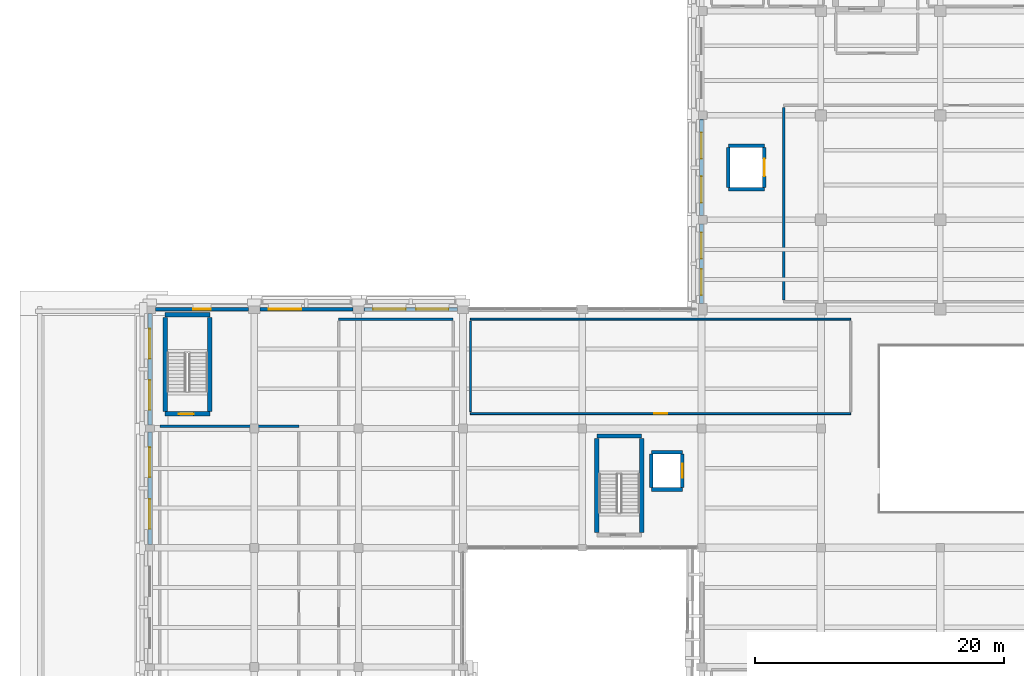
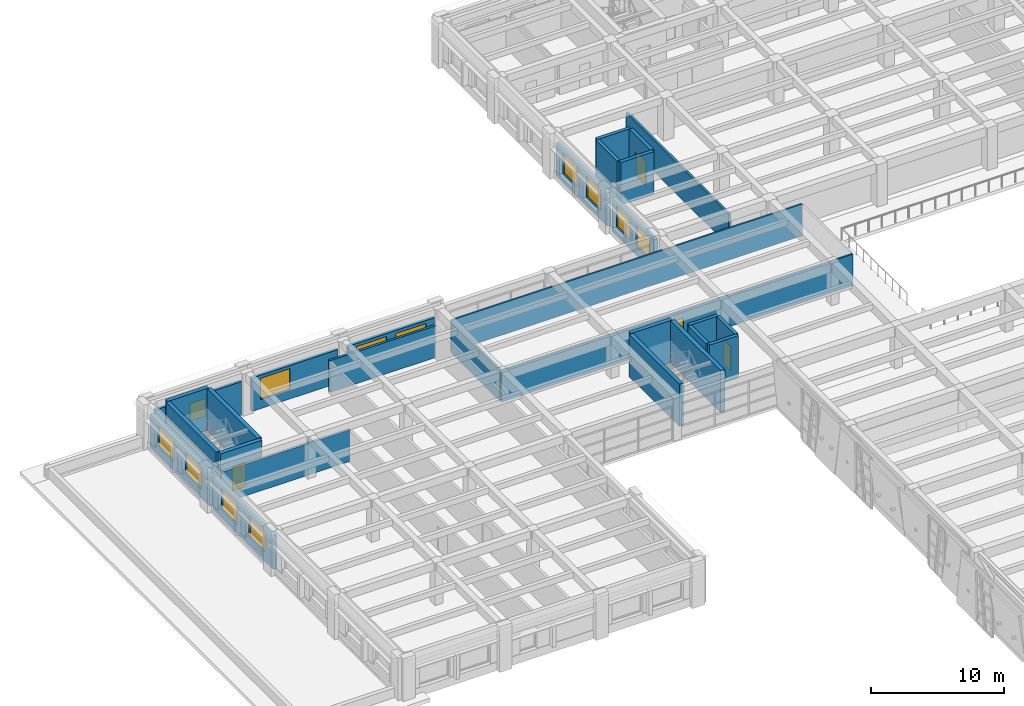
# One storey, part 45 of 62: 28 walls, 12 windows, 4 doors, 16 openings.
"""IFC4 building model written with IfcOpenShell, lengths in metres."""

import ifcopenshell
import ifcopenshell.guid

model = None  # the IFC model being written
_history = None  # IfcOwnerHistory: only IFC2X3 demands one
_inside = {}  # id of a spatial element -> (the spatial element, [elements in it])
_under = {}  # id of a project, library or spatial element -> (it, [spatial elements below it])
_declared = {}  # id of a project -> (the project, [libraries it declares])
_typed = {}  # id of a type object -> (the type object, [elements of that type])
_made_of = {}  # id of a material, layer set ... -> (it, [elements and type objects made of it])


def new_model(schema):
    """Start an empty IFC model of exactly this schema.

    Asked for "IFC4X3", IfcOpenShell would pick the latest addendum, in which some entities
    have other attributes; the version numbers below select the first issue.
    IFC2X3 requires an IfcOwnerHistory on every rooted entity: one is made here for all.
    """
    global model, _history
    if schema == "IFC4X3":
        model = ifcopenshell.file(schema_version=(4, 3, 0, 0))
    else:
        model = ifcopenshell.file(schema=schema)
    _inside.clear()
    _under.clear()
    _declared.clear()
    _typed.clear()
    _made_of.clear()
    _history = None
    if model.schema == "IFC2X3":
        org = make("IfcOrganization", Name="unknown")
        user = make(
            "IfcPersonAndOrganization",
            ThePerson=make("IfcPerson", FamilyName="unknown"),
            TheOrganization=org,
        )
        app = make(
            "IfcApplication",
            ApplicationDeveloper=org,
            Version="unknown",
            ApplicationFullName="unknown",
            ApplicationIdentifier="unknown",
        )
        _history = make(
            "IfcOwnerHistory",
            OwningUser=user,
            OwningApplication=app,
            ChangeAction="ADDED",
            CreationDate=0,
        )
    return model


def make(cls, **values):
    """One entity of the class cls with the attributes given. An attribute that is None is left unset."""
    return model.create_entity(
        cls, **{name: value for name, value in values.items() if value is not None}
    )


def rooted(cls, **values):
    """An entity with a GlobalId (a new one), such as an element, a storey or a relation."""
    return make(cls, GlobalId=ifcopenshell.guid.new(), OwnerHistory=_history, **values)


def si_unit(unit_type, name, prefix=None):
    """IfcSIUnit, for example si_unit("LENGTHUNIT", "METRE", prefix="MILLI")."""
    return make("IfcSIUnit", UnitType=unit_type, Prefix=prefix, Name=name)


def assignment(units):
    """IfcUnitAssignment: the units of a project."""
    return None if units is None else make("IfcUnitAssignment", Units=units)


def point(xyz):
    """IfcCartesianPoint."""
    return None if xyz is None else make("IfcCartesianPoint", Coordinates=xyz)


def direction(xyz):
    """IfcDirection."""
    return None if xyz is None else make("IfcDirection", DirectionRatios=xyz)


def frame(location, z_axis=None, x_axis=None):
    """IfcAxis2Placement3D, a coordinate frame: its origin and axes. An axis left out is left unset."""
    return make(
        "IfcAxis2Placement3D",
        Location=point(location),
        Axis=direction(z_axis),
        RefDirection=direction(x_axis),
    )


def frame_2d(location, x_axis=None):
    """IfcAxis2Placement2D, a coordinate frame in the plane: its origin and x axis."""
    return make(
        "IfcAxis2Placement2D", Location=point(location), RefDirection=direction(x_axis)
    )


def origin():
    """The frame at (0, 0, 0) with its axes left unset."""
    return frame((0.0, 0.0, 0.0))


def place(relative_to, where):
    """IfcLocalPlacement: puts the frame where relative to a parent placement (None: the world)."""
    return make(
        "IfcLocalPlacement", PlacementRelTo=relative_to, RelativePlacement=where
    )


def context(
    kind, dimensions, precision=None, world=None, true_north=None, identifier=None
):
    """IfcGeometricRepresentationContext, for example the 3D "Model" context."""
    return make(
        "IfcGeometricRepresentationContext",
        ContextIdentifier=identifier,
        ContextType=kind,
        CoordinateSpaceDimension=dimensions,
        Precision=precision,
        WorldCoordinateSystem=world,
        TrueNorth=true_north,
    )


def subcontext(parent, identifier, kind, view, scale=None):
    """IfcGeometricRepresentationSubContext, for example "Body" below "Model"."""
    return make(
        "IfcGeometricRepresentationSubContext",
        ContextIdentifier=identifier,
        ContextType=kind,
        ParentContext=parent,
        TargetScale=scale,
        TargetView=view,
    )


def project(units=None, contexts=None):
    """IfcProject with its units and contexts."""
    return rooted(
        "IfcProject",
        Name="project",
        RepresentationContexts=contexts,
        UnitsInContext=assignment(units),
    )


def spatial(cls, under=None, at=None, **own):
    """A site, building, storey or space (cls), placed at a placement, below another one or the project."""
    s = rooted(cls, ObjectPlacement=at, **own)
    if under is not None:
        _under.setdefault(under.id(), (under, []))[1].append(s)
    return s


def profile(cls, at=None, kind="AREA", **sizes):
    """A parametric profile (cls). Its sizes go by their IFC names, for example OverallWidth=200.0."""
    return make(cls, ProfileType=kind, Position=at, **sizes)


def rectangle(**sizes):
    """IfcRectangleProfileDef."""
    return profile("IfcRectangleProfileDef", **sizes)


def extrude(swept, where, along, depth):
    """IfcExtrudedAreaSolid: the profile swept, set in the frame where, extruded along a direction by depth."""
    return make(
        "IfcExtrudedAreaSolid",
        SweptArea=swept,
        Position=where,
        ExtrudedDirection=direction(along),
        Depth=depth,
    )


def shape(context_of_items, identifier, shape_type, items):
    """IfcShapeRepresentation: the items that make up one representation, for example the "Body"."""
    return make(
        "IfcShapeRepresentation",
        ContextOfItems=context_of_items,
        RepresentationIdentifier=identifier,
        RepresentationType=shape_type,
        Items=items,
    )


def material(Name=None, Category=None):
    """IfcMaterial."""
    return make("IfcMaterial", Name=Name, Category=Category)


def layer(
    of_material, thickness, ventilated=None, Name=None, Category=None, Priority=None
):
    """IfcMaterialLayer: one layer of a wall or slab, of a material (None: an air gap)."""
    return make(
        "IfcMaterialLayer",
        Material=of_material,
        LayerThickness=thickness,
        IsVentilated=ventilated,
        Name=Name,
        Category=Category,
        Priority=Priority,
    )


def layer_set(layers, Name=None):
    """IfcMaterialLayerSet."""
    return make("IfcMaterialLayerSet", MaterialLayers=layers, LayerSetName=Name)


def made_of(thing, what):
    """Note that an element or type object is made of a material, layer set ...; save() writes the relation."""
    if what is not None:
        _made_of.setdefault(what.id(), (what, []))[1].append(thing)
    return thing


def type_object(cls, material=None, **own):
    """A type object (cls), such as IfcWallType, which elements share."""
    return made_of(rooted(cls, **own), material)


def element(
    cls,
    number,
    at=None,
    inside=None,
    cuts=None,
    type_object=None,
    material=None,
    context=None,
    identifier="Body",
    shape_type=None,
    held_by="IfcProductDefinitionShape",
    body=None,
    shapes=None,
    **own,
):
    """One element of the class cls, such as IfcWall. Its Tag is "e" and its number.

    at: its placement. inside: the storey or other place that contains it. cuts: it is an
    opening in that element (IfcRelVoidsElement). A single representation is given by context,
    identifier, shape_type and body (its items); several are given by shapes. held_by: the class
    of the entity that holds the representations. save() writes the other relations.
    """
    e = rooted(cls, Tag="e%d" % number, ObjectPlacement=at, **own)
    if body is not None:
        shapes = [shape(context, identifier, shape_type, body)]
    if shapes is not None:
        e.Representation = make(held_by, Representations=shapes)
    if inside is not None:
        _inside.setdefault(inside.id(), (inside, []))[1].append(e)
    if cuts is not None:
        rooted(
            "IfcRelVoidsElement", RelatingBuildingElement=cuts, RelatedOpeningElement=e
        )
    if type_object is not None:
        _typed.setdefault(type_object.id(), (type_object, []))[1].append(e)
    return made_of(e, material)


def fill(opening, filler):
    """IfcRelFillsElement: the door or window that sits in an opening."""
    return rooted(
        "IfcRelFillsElement",
        RelatingOpeningElement=opening,
        RelatedBuildingElement=filler,
    )


def aggregate(whole, parts):
    """IfcRelAggregates: a whole, such as a stair, and the parts it consists of."""
    return rooted("IfcRelAggregates", RelatingObject=whole, RelatedObjects=parts)


def save(model, path):
    """Write the relations noted so far, then the file.

    IfcRelAggregates (storeys below a building ...), IfcRelContainedInSpatialStructure (elements
    in a storey), IfcRelDefinesByType, IfcRelAssociatesMaterial and IfcRelDeclares: one each for
    every whole, place, type object, material and project.
    """
    for whole, parts in _under.values():
        aggregate(whole, parts)
    for where, things in _inside.values():
        rooted(
            "IfcRelContainedInSpatialStructure",
            RelatedElements=things,
            RelatingStructure=where,
        )
    for kind, things in _typed.values():
        rooted("IfcRelDefinesByType", RelatedObjects=things, RelatingType=kind)
    for what, things in _made_of.values():
        rooted("IfcRelAssociatesMaterial", RelatedObjects=things, RelatingMaterial=what)
    for by, libraries in _declared.values():
        rooted("IfcRelDeclares", RelatingContext=by, RelatedDefinitions=libraries)
    model.write(path)


model = new_model("IFC4")

# Units and contexts
model_context = context("Model", 3, precision=1e-05, world=origin(), true_north=direction((0.0, 1.0)))
body_context = subcontext(model_context, "Body", "Model", "MODEL_VIEW")
ifc_project = project(units=[si_unit("LENGTHUNIT", "METRE"), si_unit("AREAUNIT", "SQUARE_METRE"), si_unit("VOLUMEUNIT", "CUBIC_METRE"), si_unit("PLANEANGLEUNIT", "RADIAN"), si_unit("MASSUNIT", "GRAM", prefix="KILO")], contexts=[model_context])

# Site, building, storey
site_placement = place(None, origin())
site = spatial("IfcSite", under=ifc_project, at=site_placement, CompositionType="ELEMENT")
building_placement = place(site_placement, origin())
building = spatial("IfcBuilding", under=site, at=building_placement, Name="Bempovik Park Faculty of Sciences", CompositionType="ELEMENT")
storey_placement = place(building_placement, frame((0.0, 0.0, 9.89990234375)))
storey = spatial("IfcBuildingStorey", under=building, at=storey_placement, Name="L02", CompositionType="ELEMENT", Elevation=9.89990234375)

# Walls
ifc_material_1 = material(Name="Concrete C40/50", Category="concrete")
ifc_layer_1 = layer(ifc_material_1, 0.300048828125)
ifc_layer_set_1 = layer_set([ifc_layer_1], Name="Concrete C40/50")
wall_type_1 = type_object("IfcWallType", Name="W-31 Wall 300mm", PredefinedType="SHEAR", material=ifc_layer_set_1)
for number, where, z_axis, x_axis, name in (
    (1, (55.949951171875, 72.5, 0.0), (0.0, 0.0, 1.0), (1.0, 0.0, 0.0), "Lift LF-3 L02 Shaft Wall South"),
    (2, (55.949951171875, 75.5, 0.0), (0.0, 0.0, 1.0), (1.0, 0.0, 0.0), "Lift LF-3 L02 Shaft Wall North"),
):
    element("IfcWall", number, at=place(storey_placement, frame(where, z_axis=z_axis, x_axis=x_axis)), inside=storey, type_object=wall_type_1, Name=name, PredefinedType="SHEAR", context=body_context, shape_type="SweptSolid", body=[
        extrude(rectangle(XDim=2.5, YDim=0.300048828125, at=frame_2d((1.25, 0.0))), origin(), (0.0, 0.0, 1.0), 3.900146484375),
    ])
wall_1_placement = place(storey_placement, frame((55.949951171875, 72.64990234375, 0.0), z_axis=(0.0, 0.0, 1.0), x_axis=(0.0, 1.0, 0.0)))
element("IfcWall", 3, at=wall_1_placement, inside=storey, type_object=wall_type_1, Name="Lift LF-3 L02 Shaft Wall West", PredefinedType="SHEAR", context=body_context, shape_type="SweptSolid", body=[
    extrude(rectangle(XDim=2.7001953125, YDim=0.300048828125, at=frame_2d((1.35009765625, 0.0))), origin(), (0.0, 0.0, 1.0), 3.900146484375),
])

# Wall, opening, door
wall_2_placement = place(storey_placement, frame((58.449951171875, 72.64990234375, 0.0), z_axis=(0.0, 0.0, 1.0), x_axis=(0.0, 1.0, 0.0)))
wall_2 = element("IfcWall", 4, at=wall_2_placement, inside=storey, type_object=wall_type_1, Name="Lift LF-3 L02 Shaft Wall East", PredefinedType="SHEAR", context=body_context, shape_type="SweptSolid", body=[
    extrude(rectangle(XDim=2.7001953125, YDim=0.300048828125, at=frame_2d((1.35009765625, 0.0))), origin(), (0.0, 0.0, 1.0), 3.900146484375),
])
opening_1_placement = place(wall_2_placement, frame((0.800048828125, 0.0, 0.0)))
opening_1 = element("IfcOpeningElement", 5, at=opening_1_placement, cuts=wall_2, Name="Opening LD-02", PredefinedType="OPENING", context=body_context, shape_type="SweptSolid", body=[
    extrude(rectangle(XDim=1.10009765625, YDim=2.199951171875, at=frame_2d((0.550048828125, 1.10009765625))), frame((0.0, 0.16015625, 0.0), z_axis=(0.0, -1.0, 0.0), x_axis=(1.0, 0.0, 0.0)), (0.0, 0.0, 1.0), 0.320068359375),
])
ifc_material_2 = material(Name="Anodised aluminium", Category="aluminium")
door_type_1 = type_object("IfcDoorType", Name="LD-02 Door 1100x2200", OperationType="NOTDEFINED", PredefinedType="DOOR", material=ifc_material_2)
door_1_placement = place(opening_1_placement, origin())
door_1 = element("IfcDoor", 6, at=door_1_placement, inside=storey, type_object=door_type_1, Name="Lift LF-3 L02 Sliding Landing Door", OperationType="SLIDING_TO_LEFT", OverallHeight=2.199951171875, OverallWidth=1.10009765625, PredefinedType="DOOR", context=body_context, shape_type="SweptSolid", body=[
    extrude(rectangle(XDim=1.10009765625, YDim=2.199951171875, at=frame_2d((0.550048828125, 1.10009765625))), frame((0.0, 0.02490234375, 0.0), z_axis=(0.0, -1.0, 0.0), x_axis=(1.0, 0.0, 0.0)), (0.0, 0.0, 1.0), 0.050048828125),
])
fill(opening_1, door_1)

# Walls
for number, where, z_axis, x_axis, name in (
    (7, (62.14990234375, 96.64990234375, 0.0), (0.0, 0.0, 1.0), (1.0, 0.0, 0.0), "Lift LF-5 L02 Shaft Wall South"),
    (8, (62.14990234375, 100.14990234375, 0.0), (0.0, 0.0, 1.0), (1.0, 0.0, 0.0), "Lift LF-5 L02 Shaft Wall North"),
):
    element("IfcWall", number, at=place(storey_placement, frame(where, z_axis=z_axis, x_axis=x_axis)), inside=storey, type_object=wall_type_1, Name=name, PredefinedType="SHEAR", context=body_context, shape_type="SweptSolid", body=[
        extrude(rectangle(XDim=2.900146484375, YDim=0.300048828125, at=frame_2d((1.4501953125, 0.0))), origin(), (0.0, 0.0, 1.0), 3.900146484375),
    ])
wall_3_placement = place(storey_placement, frame((62.14990234375, 96.800048828125, 0.0), z_axis=(0.0, 0.0, 1.0), x_axis=(0.0, 1.0, 0.0)))
element("IfcWall", 9, at=wall_3_placement, inside=storey, type_object=wall_type_1, Name="Lift LF-5 L02 Shaft Wall West", PredefinedType="SHEAR", context=body_context, shape_type="SweptSolid", body=[
    extrude(rectangle(XDim=3.199951171875, YDim=0.300048828125, at=frame_2d((1.60009765625, 0.0))), origin(), (0.0, 0.0, 1.0), 3.900146484375),
])

# Wall, opening, door
wall_4_placement = place(storey_placement, frame((65.050048828125, 96.800048828125, 0.0), z_axis=(0.0, 0.0, 1.0), x_axis=(0.0, 1.0, 0.0)))
wall_4 = element("IfcWall", 10, at=wall_4_placement, inside=storey, type_object=wall_type_1, Name="Lift LF-5 L02 Shaft Wall East", PredefinedType="SHEAR", context=body_context, shape_type="SweptSolid", body=[
    extrude(rectangle(XDim=3.199951171875, YDim=0.300048828125, at=frame_2d((1.60009765625, 0.0))), origin(), (0.0, 0.0, 1.0), 3.900146484375),
])
opening_2_placement = place(wall_4_placement, frame((0.89990234375, 0.0, 0.0)))
opening_2 = element("IfcOpeningElement", 11, at=opening_2_placement, cuts=wall_4, Name="Opening LD-03", PredefinedType="OPENING", context=body_context, shape_type="SweptSolid", body=[
    extrude(rectangle(XDim=1.39990234375, YDim=2.300048828125, at=frame_2d((0.699951171875, 1.14990234375))), frame((0.0, 0.16015625, 0.0), z_axis=(0.0, -1.0, 0.0), x_axis=(1.0, 0.0, 0.0)), (0.0, 0.0, 1.0), 0.320068359375),
])
ifc_material_3 = material(Name="Painted steel S355", Category="steel")
door_type_2 = type_object("IfcDoorType", Name="LD-03 Door 1400x2300", OperationType="NOTDEFINED", PredefinedType="DOOR", material=ifc_material_3)
door_2_placement = place(opening_2_placement, origin())
door_2 = element("IfcDoor", 12, at=door_2_placement, inside=storey, type_object=door_type_2, Name="Lift LF-5 L02 Sliding Landing Door", OperationType="SLIDING_TO_LEFT", OverallHeight=2.300048828125, OverallWidth=1.39990234375, PredefinedType="DOOR", context=body_context, shape_type="SweptSolid", body=[
    extrude(rectangle(XDim=1.39990234375, YDim=2.300048828125, at=frame_2d((0.699951171875, 1.14990234375))), frame((0.0, 0.02490234375, 0.0), z_axis=(0.0, -1.0, 0.0), x_axis=(1.0, 0.0, 0.0)), (0.0, 0.0, 1.0), 0.050048828125),
])
fill(opening_2, door_2)

ifc_material_4 = material(Name="Gypsum acoustic stud assembly")
ifc_layer_2 = layer(ifc_material_4, 0.14990234375)
ifc_layer_set_2 = layer_set([ifc_layer_2], Name="Gypsum acoustic stud assembly")
wall_type_2 = type_object("IfcWallType", Name="W-42 Wall 150mm", PredefinedType="PARTITIONING", material=ifc_layer_set_2)
wall_5_placement = place(storey_placement, frame((41.39990234375, 78.60009765625, 0.0), z_axis=(0.0, 0.0, 1.0), x_axis=(1.0, 0.0, 0.0)))
wall_5 = element("IfcWall", 13, at=wall_5_placement, inside=storey, type_object=wall_type_2, Name="L02 Atrium Bridge Seminar Room Partition South", PredefinedType="PARTITIONING", context=body_context, shape_type="SweptSolid", body=[
    extrude(rectangle(XDim=30.60009765625, YDim=0.14990234375, at=frame_2d((15.300048828125, 0.0))), origin(), (0.0, 0.0, 1.0), 2.920166015625),
])
opening_3_placement = place(wall_5_placement, frame((14.77490234375, 0.0, 0.0)))
opening_3 = element("IfcOpeningElement", 14, at=opening_3_placement, cuts=wall_5, Name="Opening D-16", PredefinedType="OPENING", context=body_context, shape_type="SweptSolid", body=[
    extrude(rectangle(XDim=1.050048828125, YDim=2.199951171875, at=frame_2d((0.52490234375, 1.10009765625))), frame((0.0, 0.0849609375, 0.0), z_axis=(0.0, -1.0, 0.0), x_axis=(1.0, 0.0, 0.0)), (0.0, 0.0, 1.0), 0.169921875),
])
ifc_material_5 = material(Name="West African hardwood finish", Category="wood")
door_type_3 = type_object("IfcDoorType", Name="D-16 Door 1050x2200", OperationType="NOTDEFINED", PredefinedType="DOOR", material=ifc_material_5)
door_3_placement = place(opening_3_placement, origin())
door_3 = element("IfcDoor", 15, at=door_3_placement, inside=storey, type_object=door_type_3, Name="L02 Atrium Bridge Seminar Room Door", OperationType="SINGLE_SWING_RIGHT", OverallHeight=2.199951171875, OverallWidth=1.050048828125, PredefinedType="DOOR", context=body_context, shape_type="SweptSolid", body=[
    extrude(rectangle(XDim=1.050048828125, YDim=2.199951171875, at=frame_2d((0.52490234375, 1.10009765625))), frame((0.0, 0.02490234375, 0.0), z_axis=(0.0, -1.0, 0.0), x_axis=(1.0, 0.0, 0.0)), (0.0, 0.0, 1.0), 0.050048828125),
])
fill(opening_3, door_3)

# Walls
wall_6_placement = place(storey_placement, frame((41.39990234375, 86.199951171875, 0.0), z_axis=(0.0, 0.0, 1.0), x_axis=(1.0, 0.0, 0.0)))
element("IfcWall", 16, at=wall_6_placement, inside=storey, type_object=wall_type_2, Name="L02 Atrium Bridge Seminar Room Partition North", PredefinedType="PARTITIONING", context=body_context, shape_type="SweptSolid", body=[
    extrude(rectangle(XDim=30.60009765625, YDim=0.14990234375, at=frame_2d((15.300048828125, 0.0))), origin(), (0.0, 0.0, 1.0), 2.920166015625),
])
wall_7_placement = place(storey_placement, frame((41.39990234375, 78.760009765625, 0.0), z_axis=(0.0, 0.0, 1.0), x_axis=(0.0, 1.0, 0.0)))
element("IfcWall", 17, at=wall_7_placement, inside=storey, type_object=wall_type_2, Name="L02 Atrium Bridge Seminar Room Partition West", PredefinedType="PARTITIONING", context=body_context, shape_type="SweptSolid", body=[
    extrude(rectangle(XDim=7.280029296875, YDim=0.14990234375, at=frame_2d((3.64013671875, 0.0))), origin(), (0.0, 0.0, 1.0), 2.920166015625),
])

# Wall, opening, door
ifc_layer_3 = layer(ifc_material_1, 0.35009765625)
ifc_layer_set_3 = layer_set([ifc_layer_3], Name="Concrete C40/50")
wall_type_3 = type_object("IfcWallType", Name="W-46 Wall 350mm", PredefinedType="SHEAR", material=ifc_layer_set_3)
wall_8_placement = place(storey_placement, frame((16.824951171875, 78.574951171875, 0.0), z_axis=(0.0, 0.0, 1.0), x_axis=(1.0, 0.0, 0.0)))
wall_8 = element("IfcWall", 18, at=wall_8_placement, inside=storey, type_object=wall_type_3, Name="ST-3 L02 Core Shear Wall South", PredefinedType="SHEAR", context=body_context, shape_type="SweptSolid", body=[
    extrude(rectangle(XDim=3.60009765625, YDim=0.35009765625, at=frame_2d((1.800048828125, 0.0))), origin(), (0.0, 0.0, 1.0), 3.900146484375),
])
opening_4_placement = place(wall_8_placement, frame((1.10009765625, 0.0, 0.0)))
opening_4 = element("IfcOpeningElement", 19, at=opening_4_placement, cuts=wall_8, Name="Opening D-49", PredefinedType="OPENING", context=body_context, shape_type="SweptSolid", body=[
    extrude(rectangle(XDim=1.199951171875, YDim=2.199951171875, at=frame_2d((0.60009765625, 1.10009765625))), frame((0.0, 0.18505859375, 0.0), z_axis=(0.0, -1.0, 0.0), x_axis=(1.0, 0.0, 0.0)), (0.0, 0.0, 1.0), 0.3701171875),
])
door_type_4 = type_object("IfcDoorType", Name="D-49 Door 1200x2200", OperationType="NOTDEFINED", PredefinedType="DOOR", material=ifc_material_3)
door_4_placement = place(opening_4_placement, origin())
door_4 = element("IfcDoor", 20, at=door_4_placement, inside=storey, type_object=door_type_4, Name="ST-3 L02 Protected Stair Smoke Door", OperationType="SINGLE_SWING_LEFT", OverallHeight=2.199951171875, OverallWidth=1.199951171875, PredefinedType="DOOR", context=body_context, shape_type="SweptSolid", body=[
    extrude(rectangle(XDim=1.199951171875, YDim=2.199951171875, at=frame_2d((0.60009765625, 1.10009765625))), frame((0.0, 0.02490234375, 0.0), z_axis=(0.0, -1.0, 0.0), x_axis=(1.0, 0.0, 0.0)), (0.0, 0.0, 1.0), 0.050048828125),
])
fill(opening_4, door_4)

# Walls
for number, where, z_axis, x_axis, name in (
    (21, (16.824951171875, 78.77490234375, 0.0), (0.0, 0.0, 1.0), (0.0, 1.0, 0.0), "ST-3 L02 Core Shear Wall West"),
    (22, (20.425048828125, 78.77490234375, 0.0), (0.0, 0.0, 1.0), (0.0, 1.0, 0.0), "ST-3 L02 Core Shear Wall East"),
):
    element("IfcWall", number, at=place(storey_placement, frame(where, z_axis=z_axis, x_axis=x_axis)), inside=storey, type_object=wall_type_3, Name=name, PredefinedType="SHEAR", context=body_context, shape_type="SweptSolid", body=[
        extrude(rectangle(XDim=7.5751953125, YDim=0.35009765625, at=frame_2d((3.78759765625, 0.0))), origin(), (0.0, 0.0, 1.0), 3.900146484375),
    ])
wall_9_placement = place(storey_placement, frame((16.824951171875, 86.550048828125, 0.0), z_axis=(0.0, 0.0, 1.0), x_axis=(1.0, 0.0, 0.0)))
element("IfcWall", 23, at=wall_9_placement, inside=storey, type_object=wall_type_3, Name="ST-3 L02 Core Shear Wall North", PredefinedType="SHEAR", context=body_context, shape_type="SweptSolid", body=[
    extrude(rectangle(XDim=3.60009765625, YDim=0.35009765625, at=frame_2d((1.800048828125, 0.0))), origin(), (0.0, 0.0, 1.0), 3.900146484375),
])
for number, where, z_axis, x_axis, name in (
    (24, (51.574951171875, 69.02490234375, 0.0), (0.0, 0.0, 1.0), (0.0, 1.0, 0.0), "ST-4 L02 Core Shear Wall West"),
    (25, (55.175048828125, 69.02490234375, 0.0), (0.0, 0.0, 1.0), (0.0, 1.0, 0.0), "ST-4 L02 Core Shear Wall East"),
):
    element("IfcWall", number, at=place(storey_placement, frame(where, z_axis=z_axis, x_axis=x_axis)), inside=storey, type_object=wall_type_3, Name=name, PredefinedType="SHEAR", context=body_context, shape_type="SweptSolid", body=[
        extrude(rectangle(XDim=7.5751953125, YDim=0.35009765625, at=frame_2d((3.78759765625, 0.0))), origin(), (0.0, 0.0, 1.0), 3.900146484375),
    ])
wall_10_placement = place(storey_placement, frame((51.574951171875, 76.800048828125, 0.0), z_axis=(0.0, 0.0, 1.0), x_axis=(1.0, 0.0, 0.0)))
element("IfcWall", 26, at=wall_10_placement, inside=storey, type_object=wall_type_3, Name="ST-4 L02 Core Shear Wall North", PredefinedType="SHEAR", context=body_context, shape_type="SweptSolid", body=[
    extrude(rectangle(XDim=3.60009765625, YDim=0.35009765625, at=frame_2d((1.800048828125, 0.0))), origin(), (0.0, 0.0, 1.0), 3.900146484375),
])

# Wall, opening, window
ifc_material_6 = material(Name="Precast concrete C40/50", Category="concrete")
ifc_layer_4 = layer(ifc_material_6, 0.260009765625)
ifc_layer_set_4 = layer_set([ifc_layer_4], Name="Precast concrete C40/50")
wall_type_4 = type_object("IfcWallType", Name="W-54 Wall 260mm", PredefinedType="SOLIDWALL", material=ifc_layer_set_4)
wall_11_placement = place(storey_placement, frame((16.052001953125, 87.0, 0.0), z_axis=(0.0, 0.0, 1.0), x_axis=(1.0, 0.0, 0.0)))
wall_11 = element("IfcWall", 27, at=wall_11_placement, inside=storey, type_object=wall_type_4, Name="L02 Classical Precast Facade Wall EW-L02-7471", PredefinedType="SOLIDWALL", context=body_context, shape_type="SweptSolid", body=[
    extrude(rectangle(XDim=7.49609375, YDim=0.260009765625, at=frame_2d((3.748046875, 0.0))), origin(), (0.0, 0.0, 1.0), 3.080078125),
])
opening_5_placement = place(wall_11_placement, frame((3.048095703125, 0.0, 0.89990234375)))
opening_5 = element("IfcOpeningElement", 28, at=opening_5_placement, cuts=wall_11, Name="Opening WN-84", PredefinedType="OPENING", context=body_context, shape_type="SweptSolid", body=[
    extrude(rectangle(XDim=1.39990234375, YDim=1.64990234375, at=frame_2d((0.699951171875, 0.824951171875))), frame((0.0, 0.14013671875, 0.0), z_axis=(0.0, -1.0, 0.0), x_axis=(1.0, 0.0, 0.0)), (0.0, 0.0, 1.0), 0.280029296875),
])
ifc_material_7 = material(Name="Tempered laminated low-E glass", Category="glass")
window_type_1 = type_object("IfcWindowType", Name="WN-84 Window 1400x1650", PartitioningType="SINGLE_PANEL", PredefinedType="WINDOW", material=ifc_material_7)
window_1_placement = place(opening_5_placement, origin())
window_1 = element("IfcWindow", 29, at=window_1_placement, inside=storey, type_object=window_type_1, Name="L02 Stairwell Classical Lancet Window EW-L02-7471", OverallHeight=1.64990234375, OverallWidth=1.39990234375, PartitioningType="SINGLE_PANEL", PredefinedType="WINDOW", context=body_context, shape_type="SweptSolid", body=[
    extrude(rectangle(XDim=1.39990234375, YDim=1.64990234375, at=frame_2d((0.699951171875, 0.824951171875))), frame((0.0, 0.030029296875, 0.0), z_axis=(0.0, -1.0, 0.0), x_axis=(1.0, 0.0, 0.0)), (0.0, 0.0, 1.0), 0.06005859375),
])
fill(opening_5, window_1)

wall_12_placement = place(storey_placement, frame((24.451904296875, 87.0, 0.0), z_axis=(0.0, 0.0, 1.0), x_axis=(1.0, 0.0, 0.0)))
wall_12 = element("IfcWall", 30, at=wall_12_placement, inside=storey, type_object=wall_type_4, Name="L02 Classical Precast Facade Wall EW-L02-7479", PredefinedType="SOLIDWALL", context=body_context, shape_type="SweptSolid", body=[
    extrude(rectangle(XDim=7.49609375, YDim=0.260009765625, at=frame_2d((3.748046875, 0.0))), origin(), (0.0, 0.0, 1.0), 3.080078125),
])
opening_6_placement = place(wall_12_placement, frame((0.723876953125, 0.0, 0.85009765625)))
opening_6 = element("IfcOpeningElement", 31, at=opening_6_placement, cuts=wall_12, Name="Opening WN-43", PredefinedType="OPENING", context=body_context, shape_type="SweptSolid", body=[
    extrude(rectangle(XDim=2.60009765625, YDim=1.949951171875, at=frame_2d((1.300048828125, 0.97509765625))), frame((0.0, 0.14013671875, 0.0), z_axis=(0.0, -1.0, 0.0), x_axis=(1.0, 0.0, 0.0)), (0.0, 0.0, 1.0), 0.280029296875),
])
window_type_2 = type_object("IfcWindowType", Name="WN-43 Window 2600x1950", PartitioningType="SINGLE_PANEL", PredefinedType="WINDOW", material=ifc_material_7)
window_2_placement = place(opening_6_placement, origin())
window_2 = element("IfcWindow", 32, at=window_2_placement, inside=storey, type_object=window_type_2, Name="L02 Window EW-L02-7479-1", OverallHeight=1.949951171875, OverallWidth=2.60009765625, PartitioningType="SINGLE_PANEL", PredefinedType="WINDOW", context=body_context, shape_type="SweptSolid", body=[
    extrude(rectangle(XDim=2.60009765625, YDim=1.949951171875, at=frame_2d((1.300048828125, 0.97509765625))), frame((0.0, 0.030029296875, 0.0), z_axis=(0.0, -1.0, 0.0), x_axis=(1.0, 0.0, 0.0)), (0.0, 0.0, 1.0), 0.06005859375),
])
fill(opening_6, window_2)

# Wall, openings, windows
wall_13_placement = place(storey_placement, frame((32.85205078125, 87.0, 0.0), z_axis=(0.0, 0.0, 1.0), x_axis=(1.0, 0.0, 0.0)))
wall_13 = element("IfcWall", 33, at=wall_13_placement, inside=storey, type_object=wall_type_4, Name="L02 Classical Precast Facade Wall EW-L02-7490", PredefinedType="SOLIDWALL", context=body_context, shape_type="SweptSolid", body=[
    extrude(rectangle(XDim=7.495849609375, YDim=0.260009765625, at=frame_2d((3.748046875, 0.0))), origin(), (0.0, 0.0, 1.0), 3.080078125),
])
opening_7_placement = place(wall_13_placement, frame((0.723876953125, 0.0, 0.85009765625)))
opening_7 = element("IfcOpeningElement", 34, at=opening_7_placement, cuts=wall_13, Name="Opening WN-43", PredefinedType="OPENING", context=body_context, shape_type="SweptSolid", body=[
    extrude(rectangle(XDim=2.60009765625, YDim=1.949951171875, at=frame_2d((1.300048828125, 0.97509765625))), frame((0.0, 0.14013671875, 0.0), z_axis=(0.0, -1.0, 0.0), x_axis=(1.0, 0.0, 0.0)), (0.0, 0.0, 1.0), 0.280029296875),
])
opening_8_placement = place(wall_13_placement, frame((4.172119140625, 0.0, 0.85009765625)))
opening_8 = element("IfcOpeningElement", 35, at=opening_8_placement, cuts=wall_13, Name="Opening WN-43", PredefinedType="OPENING", context=body_context, shape_type="SweptSolid", body=[
    extrude(rectangle(XDim=2.60009765625, YDim=1.949951171875, at=frame_2d((1.300048828125, 0.97509765625))), frame((0.0, 0.14013671875, 0.0), z_axis=(0.0, -1.0, 0.0), x_axis=(1.0, 0.0, 0.0)), (0.0, 0.0, 1.0), 0.280029296875),
])
window_3_placement = place(opening_7_placement, origin())
window_3 = element("IfcWindow", 36, at=window_3_placement, inside=storey, type_object=window_type_2, Name="L02 Window EW-L02-7490-1", OverallHeight=1.949951171875, OverallWidth=2.60009765625, PartitioningType="SINGLE_PANEL", PredefinedType="WINDOW", context=body_context, shape_type="SweptSolid", body=[
    extrude(rectangle(XDim=2.60009765625, YDim=1.949951171875, at=frame_2d((1.300048828125, 0.97509765625))), frame((0.0, 0.030029296875, 0.0), z_axis=(0.0, -1.0, 0.0), x_axis=(1.0, 0.0, 0.0)), (0.0, 0.0, 1.0), 0.06005859375),
])
fill(opening_7, window_3)
window_4_placement = place(opening_8_placement, origin())
window_4 = element("IfcWindow", 37, at=window_4_placement, inside=storey, type_object=window_type_2, Name="L02 Window EW-L02-7490-2", OverallHeight=1.949951171875, OverallWidth=2.60009765625, PartitioningType="SINGLE_PANEL", PredefinedType="WINDOW", context=body_context, shape_type="SweptSolid", body=[
    extrude(rectangle(XDim=2.60009765625, YDim=1.949951171875, at=frame_2d((1.300048828125, 0.97509765625))), frame((0.0, 0.030029296875, 0.0), z_axis=(0.0, -1.0, 0.0), x_axis=(1.0, 0.0, 0.0)), (0.0, 0.0, 1.0), 0.06005859375),
])
fill(opening_8, window_4)

ifc_layer_5 = layer(ifc_material_6, 0.320068359375)
ifc_layer_set_5 = layer_set([ifc_layer_5], Name="Precast concrete C40/50")
wall_type_5 = type_object("IfcWallType", Name="W-56 Wall 320mm", PredefinedType="SOLIDWALL", material=ifc_layer_set_5)
wall_14_placement = place(storey_placement, frame((15.60009765625, 68.072021484375, 0.0), z_axis=(0.0, 0.0, 1.0), x_axis=(0.0, 1.0, 0.0)))
wall_14 = element("IfcWall", 38, at=wall_14_placement, inside=storey, type_object=wall_type_5, Name="L02 Classical Precast Facade Wall EW-L02-7445", PredefinedType="SOLIDWALL", context=body_context, shape_type="SweptSolid", body=[
    extrude(rectangle(XDim=9.055908203125, YDim=0.320068359375, at=frame_2d((4.52783203125, 0.0))), origin(), (0.0, 0.0, 1.0), 3.080078125),
])
opening_9_placement = place(wall_14_placement, frame((1.2451171875, 0.0, 0.85009765625)))
opening_9 = element("IfcOpeningElement", 39, at=opening_9_placement, cuts=wall_14, Name="Opening WN-18", PredefinedType="OPENING", context=body_context, shape_type="SweptSolid", body=[
    extrude(rectangle(XDim=2.39990234375, YDim=1.949951171875, at=frame_2d((1.199951171875, 0.97509765625))), frame((0.0, 0.169921875, 0.0), z_axis=(0.0, -1.0, 0.0), x_axis=(1.0, 0.0, 0.0)), (0.0, 0.0, 1.0), 0.340087890625),
])
opening_10_placement = place(wall_14_placement, frame((5.410888671875, 0.0, 0.85009765625)))
opening_10 = element("IfcOpeningElement", 40, at=opening_10_placement, cuts=wall_14, Name="Opening WN-18", PredefinedType="OPENING", context=body_context, shape_type="SweptSolid", body=[
    extrude(rectangle(XDim=2.39990234375, YDim=1.949951171875, at=frame_2d((1.199951171875, 0.97509765625))), frame((0.0, 0.169921875, 0.0), z_axis=(0.0, -1.0, 0.0), x_axis=(1.0, 0.0, 0.0)), (0.0, 0.0, 1.0), 0.340087890625),
])
window_type_3 = type_object("IfcWindowType", Name="WN-18 Window 2400x1950", PartitioningType="SINGLE_PANEL", PredefinedType="WINDOW", material=ifc_material_7)
window_5_placement = place(opening_9_placement, origin())
window_5 = element("IfcWindow", 41, at=window_5_placement, inside=storey, type_object=window_type_3, Name="L02 Window EW-L02-7445-1", OverallHeight=1.949951171875, OverallWidth=2.39990234375, PartitioningType="SINGLE_PANEL", PredefinedType="WINDOW", context=body_context, shape_type="SweptSolid", body=[
    extrude(rectangle(XDim=2.39990234375, YDim=1.949951171875, at=frame_2d((1.199951171875, 0.97509765625))), frame((0.0, 0.030029296875, 0.0), z_axis=(0.0, -1.0, 0.0), x_axis=(1.0, 0.0, 0.0)), (0.0, 0.0, 1.0), 0.06005859375),
])
fill(opening_9, window_5)
window_6_placement = place(opening_10_placement, origin())
window_6 = element("IfcWindow", 42, at=window_6_placement, inside=storey, type_object=window_type_3, Name="L02 Window EW-L02-7445-2", OverallHeight=1.949951171875, OverallWidth=2.39990234375, PartitioningType="SINGLE_PANEL", PredefinedType="WINDOW", context=body_context, shape_type="SweptSolid", body=[
    extrude(rectangle(XDim=2.39990234375, YDim=1.949951171875, at=frame_2d((1.199951171875, 0.97509765625))), frame((0.0, 0.030029296875, 0.0), z_axis=(0.0, -1.0, 0.0), x_axis=(1.0, 0.0, 0.0)), (0.0, 0.0, 1.0), 0.06005859375),
])
fill(opening_10, window_6)

wall_15_placement = place(storey_placement, frame((15.60009765625, 77.672119140625, 0.0), z_axis=(0.0, 0.0, 1.0), x_axis=(0.0, 1.0, 0.0)))
wall_15 = element("IfcWall", 43, at=wall_15_placement, inside=storey, type_object=wall_type_5, Name="L02 Classical Precast Facade Wall EW-L02-7458", PredefinedType="SOLIDWALL", context=body_context, shape_type="SweptSolid", body=[
    extrude(rectangle(XDim=8.975830078125, YDim=0.320068359375, at=frame_2d((4.48779296875, 0.0))), origin(), (0.0, 0.0, 1.0), 3.080078125),
])
opening_11_placement = place(wall_15_placement, frame((1.223388671875, 0.0, 0.85009765625)))
opening_11 = element("IfcOpeningElement", 44, at=opening_11_placement, cuts=wall_15, Name="Opening WN-18", PredefinedType="OPENING", context=body_context, shape_type="SweptSolid", body=[
    extrude(rectangle(XDim=2.39990234375, YDim=1.949951171875, at=frame_2d((1.199951171875, 0.97509765625))), frame((0.0, 0.169921875, 0.0), z_axis=(0.0, -1.0, 0.0), x_axis=(1.0, 0.0, 0.0)), (0.0, 0.0, 1.0), 0.340087890625),
])
opening_12_placement = place(wall_15_placement, frame((5.3525390625, 0.0, 0.85009765625)))
opening_12 = element("IfcOpeningElement", 45, at=opening_12_placement, cuts=wall_15, Name="Opening WN-18", PredefinedType="OPENING", context=body_context, shape_type="SweptSolid", body=[
    extrude(rectangle(XDim=2.39990234375, YDim=1.949951171875, at=frame_2d((1.199951171875, 0.97509765625))), frame((0.0, 0.169921875, 0.0), z_axis=(0.0, -1.0, 0.0), x_axis=(1.0, 0.0, 0.0)), (0.0, 0.0, 1.0), 0.340087890625),
])
window_7_placement = place(opening_11_placement, origin())
window_7 = element("IfcWindow", 46, at=window_7_placement, inside=storey, type_object=window_type_3, Name="L02 Window EW-L02-7458-1", OverallHeight=1.949951171875, OverallWidth=2.39990234375, PartitioningType="SINGLE_PANEL", PredefinedType="WINDOW", context=body_context, shape_type="SweptSolid", body=[
    extrude(rectangle(XDim=2.39990234375, YDim=1.949951171875, at=frame_2d((1.199951171875, 0.97509765625))), frame((0.0, 0.030029296875, 0.0), z_axis=(0.0, -1.0, 0.0), x_axis=(1.0, 0.0, 0.0)), (0.0, 0.0, 1.0), 0.06005859375),
])
fill(opening_11, window_7)
window_8_placement = place(opening_12_placement, origin())
window_8 = element("IfcWindow", 47, at=window_8_placement, inside=storey, type_object=window_type_3, Name="L02 Window EW-L02-7458-2", OverallHeight=1.949951171875, OverallWidth=2.39990234375, PartitioningType="SINGLE_PANEL", PredefinedType="WINDOW", context=body_context, shape_type="SweptSolid", body=[
    extrude(rectangle(XDim=2.39990234375, YDim=1.949951171875, at=frame_2d((1.199951171875, 0.97509765625))), frame((0.0, 0.030029296875, 0.0), z_axis=(0.0, -1.0, 0.0), x_axis=(1.0, 0.0, 0.0)), (0.0, 0.0, 1.0), 0.06005859375),
])
fill(opening_12, window_8)

wall_16_placement = place(storey_placement, frame((60.0, 87.451904296875, 0.0), z_axis=(0.0, 0.0, 1.0), x_axis=(0.0, 1.0, 0.0)))
wall_16 = element("IfcWall", 48, at=wall_16_placement, inside=storey, type_object=wall_type_5, Name="L02 Classical Precast Facade Wall EW-L02-7539", PredefinedType="SOLIDWALL", context=body_context, shape_type="SweptSolid", body=[
    extrude(rectangle(XDim=6.39599609375, YDim=0.320068359375, at=frame_2d((3.197998046875, 0.0))), origin(), (0.0, 0.0, 1.0), 3.080078125),
])
opening_13_placement = place(wall_16_placement, frame((0.677001953125, 0.0, 0.85009765625)))
opening_13 = element("IfcOpeningElement", 49, at=opening_13_placement, cuts=wall_16, Name="Opening WN-39", PredefinedType="OPENING", context=body_context, shape_type="SweptSolid", body=[
    extrude(rectangle(XDim=2.10009765625, YDim=1.949951171875, at=frame_2d((1.050048828125, 0.97509765625))), frame((0.0, 0.169921875, 0.0), z_axis=(0.0, -1.0, 0.0), x_axis=(1.0, 0.0, 0.0)), (0.0, 0.0, 1.0), 0.340087890625),
])
opening_14_placement = place(wall_16_placement, frame((3.619140625, 0.0, 0.85009765625)))
opening_14 = element("IfcOpeningElement", 50, at=opening_14_placement, cuts=wall_16, Name="Opening WN-39", PredefinedType="OPENING", context=body_context, shape_type="SweptSolid", body=[
    extrude(rectangle(XDim=2.10009765625, YDim=1.949951171875, at=frame_2d((1.050048828125, 0.97509765625))), frame((0.0, 0.169921875, 0.0), z_axis=(0.0, -1.0, 0.0), x_axis=(1.0, 0.0, 0.0)), (0.0, 0.0, 1.0), 0.340087890625),
])
window_type_4 = type_object("IfcWindowType", Name="WN-39 Window 2100x1950", PartitioningType="SINGLE_PANEL", PredefinedType="WINDOW", material=ifc_material_7)
window_9_placement = place(opening_13_placement, origin())
window_9 = element("IfcWindow", 51, at=window_9_placement, inside=storey, type_object=window_type_4, Name="L02 Window EW-L02-7539-1", OverallHeight=1.949951171875, OverallWidth=2.10009765625, PartitioningType="SINGLE_PANEL", PredefinedType="WINDOW", context=body_context, shape_type="SweptSolid", body=[
    extrude(rectangle(XDim=2.10009765625, YDim=1.949951171875, at=frame_2d((1.050048828125, 0.97509765625))), frame((0.0, 0.030029296875, 0.0), z_axis=(0.0, -1.0, 0.0), x_axis=(1.0, 0.0, 0.0)), (0.0, 0.0, 1.0), 0.06005859375),
])
fill(opening_13, window_9)
window_10_placement = place(opening_14_placement, origin())
window_10 = element("IfcWindow", 52, at=window_10_placement, inside=storey, type_object=window_type_4, Name="L02 Window EW-L02-7539-2", OverallHeight=1.949951171875, OverallWidth=2.10009765625, PartitioningType="SINGLE_PANEL", PredefinedType="WINDOW", context=body_context, shape_type="SweptSolid", body=[
    extrude(rectangle(XDim=2.10009765625, YDim=1.949951171875, at=frame_2d((1.050048828125, 0.97509765625))), frame((0.0, 0.030029296875, 0.0), z_axis=(0.0, -1.0, 0.0), x_axis=(1.0, 0.0, 0.0)), (0.0, 0.0, 1.0), 0.06005859375),
])
fill(opening_14, window_10)

wall_17_placement = place(storey_placement, frame((60.0, 94.552001953125, 0.0), z_axis=(0.0, 0.0, 1.0), x_axis=(0.0, 1.0, 0.0)))
wall_17 = element("IfcWall", 53, at=wall_17_placement, inside=storey, type_object=wall_type_5, Name="L02 Classical Precast Facade Wall EW-L02-7553", PredefinedType="SOLIDWALL", context=body_context, shape_type="SweptSolid", body=[
    extrude(rectangle(XDim=7.696044921875, YDim=0.320068359375, at=frame_2d((3.84814453125, 0.0))), origin(), (0.0, 0.0, 1.0), 3.080078125),
])
opening_15_placement = place(wall_17_placement, frame((1.02783203125, 0.0, 0.85009765625)))
opening_15 = element("IfcOpeningElement", 54, at=opening_15_placement, cuts=wall_17, Name="Opening WN-39", PredefinedType="OPENING", context=body_context, shape_type="SweptSolid", body=[
    extrude(rectangle(XDim=2.10009765625, YDim=1.949951171875, at=frame_2d((1.050048828125, 0.97509765625))), frame((0.0, 0.169921875, 0.0), z_axis=(0.0, -1.0, 0.0), x_axis=(1.0, 0.0, 0.0)), (0.0, 0.0, 1.0), 0.340087890625),
])
opening_16_placement = place(wall_17_placement, frame((4.568115234375, 0.0, 0.85009765625)))
opening_16 = element("IfcOpeningElement", 55, at=opening_16_placement, cuts=wall_17, Name="Opening WN-39", PredefinedType="OPENING", context=body_context, shape_type="SweptSolid", body=[
    extrude(rectangle(XDim=2.10009765625, YDim=1.949951171875, at=frame_2d((1.050048828125, 0.97509765625))), frame((0.0, 0.169921875, 0.0), z_axis=(0.0, -1.0, 0.0), x_axis=(1.0, 0.0, 0.0)), (0.0, 0.0, 1.0), 0.340087890625),
])
window_11_placement = place(opening_15_placement, origin())
window_11 = element("IfcWindow", 56, at=window_11_placement, inside=storey, type_object=window_type_4, Name="L02 Window EW-L02-7553-1", OverallHeight=1.949951171875, OverallWidth=2.10009765625, PartitioningType="SINGLE_PANEL", PredefinedType="WINDOW", context=body_context, shape_type="SweptSolid", body=[
    extrude(rectangle(XDim=2.10009765625, YDim=1.949951171875, at=frame_2d((1.050048828125, 0.97509765625))), frame((0.0, 0.030029296875, 0.0), z_axis=(0.0, -1.0, 0.0), x_axis=(1.0, 0.0, 0.0)), (0.0, 0.0, 1.0), 0.06005859375),
])
fill(opening_15, window_11)
window_12_placement = place(opening_16_placement, origin())
window_12 = element("IfcWindow", 57, at=window_12_placement, inside=storey, type_object=window_type_4, Name="L02 Window EW-L02-7553-2", OverallHeight=1.949951171875, OverallWidth=2.10009765625, PartitioningType="SINGLE_PANEL", PredefinedType="WINDOW", context=body_context, shape_type="SweptSolid", body=[
    extrude(rectangle(XDim=2.10009765625, YDim=1.949951171875, at=frame_2d((1.050048828125, 0.97509765625))), frame((0.0, 0.030029296875, 0.0), z_axis=(0.0, -1.0, 0.0), x_axis=(1.0, 0.0, 0.0)), (0.0, 0.0, 1.0), 0.06005859375),
])
fill(opening_16, window_12)

# Walls
ifc_material_8 = material(Name="Concrete C35/45", Category="concrete")
ifc_layer_6 = layer(ifc_material_8, 0.199951171875)
ifc_layer_set_6 = layer_set([ifc_layer_6], Name="Concrete C35/45")
wall_type_6 = type_object("IfcWallType", Name="W-59 Wall 200mm", PredefinedType="PARTITIONING", material=ifc_layer_set_6)
wall_18_placement = place(storey_placement, frame((16.39990234375, 77.60009765625, 0.0), z_axis=(0.0, 0.0, 1.0), x_axis=(1.0, 0.0, 0.0)))
element("IfcWall", 58, at=wall_18_placement, inside=storey, type_object=wall_type_6, Name="L02 Microbiology Teaching Laboratory Partition North", PredefinedType="PARTITIONING", context=body_context, shape_type="SweptSolid", body=[
    extrude(rectangle(XDim=11.2001953125, YDim=0.199951171875, at=frame_2d((5.60009765625, 0.0))), origin(), (0.0, 0.0, 1.0), 2.920166015625),
])
wall_19_placement = place(storey_placement, frame((30.800048828125, 86.199951171875, 0.0), z_axis=(0.0, 0.0, 1.0), x_axis=(1.0, 0.0, 0.0)))
element("IfcWall", 59, at=wall_19_placement, inside=storey, type_object=wall_type_6, Name="L02 Molecular Genetics Teaching Laboratory Partition North", PredefinedType="PARTITIONING", context=body_context, shape_type="SweptSolid", body=[
    extrude(rectangle(XDim=9.199951171875, YDim=0.199951171875, at=frame_2d((4.60009765625, 0.0))), origin(), (0.0, 0.0, 1.0), 2.920166015625),
])
wall_20_placement = place(storey_placement, frame((66.60009765625, 87.760009765625, 0.0), z_axis=(0.0, 0.0, 1.0), x_axis=(0.0, 1.0, 0.0)))
element("IfcWall", 60, at=wall_20_placement, inside=storey, type_object=wall_type_6, Name="L02 Inorganic Synthesis Research Laboratory Partition West", PredefinedType="PARTITIONING", context=body_context, shape_type="SweptSolid", body=[
    extrude(rectangle(XDim=15.47998046875, YDim=0.199951171875, at=frame_2d((7.739990234375, 0.0))), origin(), (0.0, 0.0, 1.0), 2.920166015625),
])

save(model, "model.ifc")
